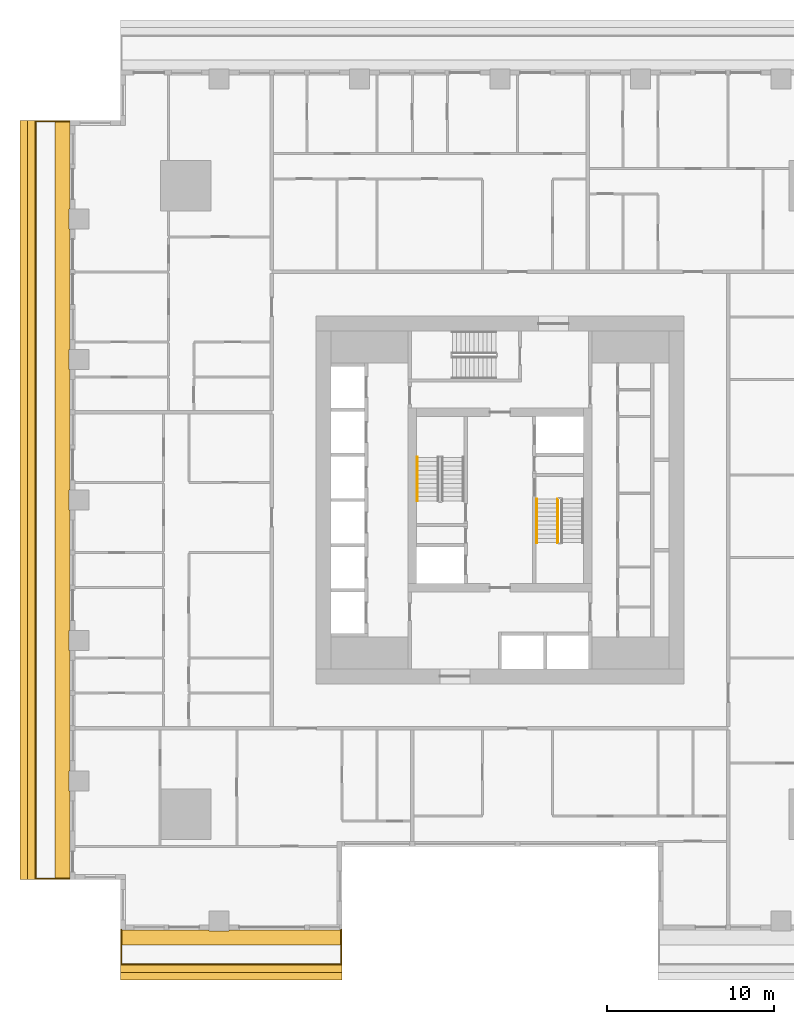
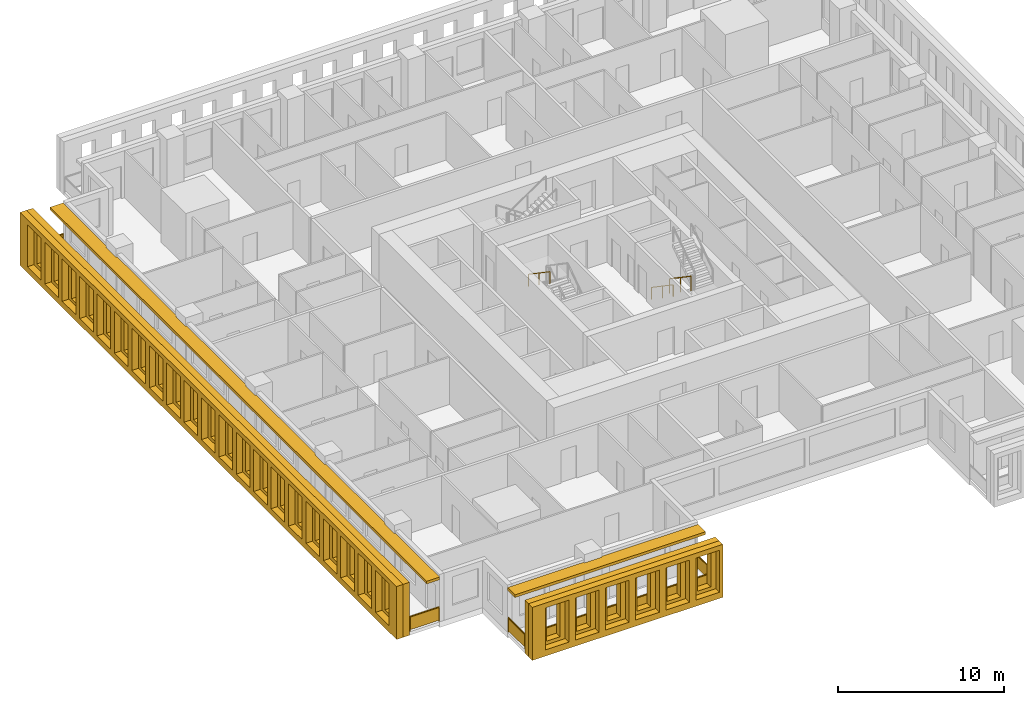
# One storey, part 11 of 15: 6 shading devices, 5 railings.
"""IFC4 building model written with IfcOpenShell, lengths in metres."""

from ifc_helpers import new_model, si_unit, direction, frame, origin, origin_2d, place, context, subcontext, project, spatial, polyline, rectangle, outline, extrude, material, layer, layer_set, type_object, element, save


model = new_model("IFC4")

# Units and contexts
model_context = context("Model", 3, precision=1e-05, world=origin(), true_north=direction((0.0, 1.0)))
body_context = subcontext(model_context, "Body", "Model", "MODEL_VIEW")
ifc_project = project(units=[si_unit("LENGTHUNIT", "METRE"), si_unit("AREAUNIT", "SQUARE_METRE"), si_unit("VOLUMEUNIT", "CUBIC_METRE"), si_unit("PLANEANGLEUNIT", "RADIAN"), si_unit("MASSUNIT", "GRAM", prefix="KILO")], contexts=[model_context])

# Site, building, storey
site_placement = place(None, origin())
site = spatial("IfcSite", under=ifc_project, at=site_placement, CompositionType="ELEMENT")
building_placement = place(site_placement, origin())
building = spatial("IfcBuilding", under=site, at=building_placement, Name="Khepri Terraces", CompositionType="ELEMENT")
storey_placement = place(building_placement, frame((0.0, 0.0, 54.300048828125)))
storey = spatial("IfcBuildingStorey", under=building, at=storey_placement, Name="L12", CompositionType="ELEMENT", Elevation=54.300048828125)

# Railings
ifc_material_1 = material(Name="Stainless steel grade 316", Category="steel")
railing_type_1 = type_object("IfcRailingType", Name="GRD-BAL-1100", PredefinedType="GUARDRAIL", material=ifc_material_1)
railing_1_placement = place(storey_placement, frame((-22.669921875, -25.719970703125, 0.0)))
element("IfcRailing", 1, at=railing_1_placement, inside=storey, type_object=railing_type_1, Name="Balcony guard L12 S", PredefinedType="GUARDRAIL", context=body_context, shape_type="SweptSolid", body=[
    extrude(rectangle(XDim=0.050048828125, YDim=0.06005859375, at=origin_2d()), frame((0.0, 0.0, 1.070068359375), z_axis=(0.0, -1.0, 0.0), x_axis=(1.0, 0.0, 0.0)), (0.0, 0.0, 1.0), 2.050048828125),
    extrude(rectangle(XDim=2.0, YDim=0.011962890625, at=origin_2d()), frame((0.0, -1.02490234375, 0.10009765625), z_axis=(0.0, 0.0, 1.0), x_axis=(0.0, -1.0, 0.0)), (0.0, 0.0, 1.0), 0.93994140625),
    extrude(rectangle(XDim=0.050048828125, YDim=0.06005859375, at=origin_2d()), frame((0.0, -2.050048828125, 1.070068359375), z_axis=(1.0, 0.0, 0.0), x_axis=(0.0, 1.0, 0.0)), (0.0, 0.0, 1.0), 13.169921875),
    extrude(rectangle(XDim=2.14501953125, YDim=0.011962890625, at=origin_2d()), frame((1.097412109375, -2.050048828125, 0.10009765625), z_axis=(0.0, 0.0, 1.0), x_axis=(1.0, 0.0, 0.0)), (0.0, 0.0, 1.0), 0.93994140625),
    extrude(rectangle(XDim=2.14501953125, YDim=0.011962890625, at=origin_2d()), frame((3.29248046875, -2.050048828125, 0.10009765625), z_axis=(0.0, 0.0, 1.0), x_axis=(1.0, 0.0, 0.0)), (0.0, 0.0, 1.0), 0.93994140625),
    extrude(rectangle(XDim=2.14501953125, YDim=0.011962890625, at=origin_2d()), frame((5.487548828125, -2.050048828125, 0.10009765625), z_axis=(0.0, 0.0, 1.0), x_axis=(1.0, 0.0, 0.0)), (0.0, 0.0, 1.0), 0.93994140625),
    extrude(rectangle(XDim=2.14501953125, YDim=0.011962890625, at=origin_2d()), frame((7.682373046875, -2.050048828125, 0.10009765625), z_axis=(0.0, 0.0, 1.0), x_axis=(1.0, 0.0, 0.0)), (0.0, 0.0, 1.0), 0.93994140625),
    extrude(rectangle(XDim=2.14501953125, YDim=0.011962890625, at=origin_2d()), frame((9.87744140625, -2.050048828125, 0.10009765625), z_axis=(0.0, 0.0, 1.0), x_axis=(1.0, 0.0, 0.0)), (0.0, 0.0, 1.0), 0.93994140625),
    extrude(rectangle(XDim=2.14501953125, YDim=0.011962890625, at=origin_2d()), frame((12.072509765625, -2.050048828125, 0.10009765625), z_axis=(0.0, 0.0, 1.0), x_axis=(1.0, 0.0, 0.0)), (0.0, 0.0, 1.0), 0.93994140625),
    extrude(rectangle(XDim=0.050048828125, YDim=0.06005859375, at=origin_2d()), frame((13.169921875, -2.050048828125, 1.070068359375), z_axis=(0.0, 1.0, 0.0), x_axis=(-1.0, 0.0, 0.0)), (0.0, 0.0, 1.0), 2.050048828125),
    extrude(rectangle(XDim=2.0, YDim=0.011962890625, at=origin_2d()), frame((13.169921875, -1.02490234375, 0.10009765625), z_axis=(0.0, 0.0, 1.0), x_axis=(0.0, 1.0, 0.0)), (0.0, 0.0, 1.0), 0.93994140625),
    extrude(rectangle(XDim=0.050048828125, YDim=0.050048828125, at=origin_2d()), origin(), (0.0, 0.0, 1.0), 1.0400390625),
    extrude(rectangle(XDim=0.050048828125, YDim=0.050048828125, at=origin_2d()), frame((0.0, -2.050048828125, 0.0)), (0.0, 0.0, 1.0), 1.0400390625),
    extrude(rectangle(XDim=0.050048828125, YDim=0.050048828125, at=origin_2d()), frame((2.195068359375, -2.050048828125, 0.0)), (0.0, 0.0, 1.0), 1.0400390625),
    extrude(rectangle(XDim=0.050048828125, YDim=0.050048828125, at=origin_2d()), frame((4.389892578125, -2.050048828125, 0.0)), (0.0, 0.0, 1.0), 1.0400390625),
    extrude(rectangle(XDim=0.050048828125, YDim=0.050048828125, at=origin_2d()), frame((6.5849609375, -2.050048828125, 0.0)), (0.0, 0.0, 1.0), 1.0400390625),
    extrude(rectangle(XDim=0.050048828125, YDim=0.050048828125, at=origin_2d()), frame((8.780029296875, -2.050048828125, 0.0)), (0.0, 0.0, 1.0), 1.0400390625),
    extrude(rectangle(XDim=0.050048828125, YDim=0.050048828125, at=origin_2d()), frame((10.974853515625, -2.050048828125, 0.0)), (0.0, 0.0, 1.0), 1.0400390625),
    extrude(rectangle(XDim=0.050048828125, YDim=0.050048828125, at=origin_2d()), frame((13.169921875, -2.050048828125, 0.0)), (0.0, 0.0, 1.0), 1.0400390625),
    extrude(rectangle(XDim=0.050048828125, YDim=0.050048828125, at=origin_2d()), frame((13.169921875, 0.0, 0.0)), (0.0, 0.0, 1.0), 1.0400390625),
])
railing_2_placement = place(storey_placement, frame((-25.719970703125, 22.669921875, 0.0)))
element("IfcRailing", 2, at=railing_2_placement, inside=storey, type_object=railing_type_1, Name="Balcony guard L12 W", PredefinedType="GUARDRAIL", context=body_context, shape_type="SweptSolid", body=[
    extrude(rectangle(XDim=0.050048828125, YDim=0.06005859375, at=origin_2d()), frame((0.0, 0.0, 1.070068359375), z_axis=(-1.0, 0.0, 0.0), x_axis=(0.0, -1.0, 0.0)), (0.0, 0.0, 1.0), 2.050048828125),
    extrude(rectangle(XDim=2.0, YDim=0.011962890625, at=origin_2d()), frame((-1.02490234375, 0.0, 0.10009765625), z_axis=(0.0, 0.0, 1.0), x_axis=(-1.0, 0.0, 0.0)), (0.0, 0.0, 1.0), 0.93994140625),
    extrude(rectangle(XDim=0.050048828125, YDim=0.06005859375, at=origin_2d()), frame((-2.050048828125, 0.0, 1.070068359375), z_axis=(0.0, -1.0, 0.0), x_axis=(1.0, 0.0, 0.0)), (0.0, 0.0, 1.0), 45.33984375),
    extrude(rectangle(XDim=2.336181640625, YDim=0.011962890625, at=origin_2d()), frame((-2.050048828125, -1.193115234375, 0.10009765625), z_axis=(0.0, 0.0, 1.0), x_axis=(0.0, -1.0, 0.0)), (0.0, 0.0, 1.0), 0.93994140625),
    extrude(rectangle(XDim=2.336181640625, YDim=0.011962890625, at=origin_2d()), frame((-2.050048828125, -3.579345703125, 0.10009765625), z_axis=(0.0, 0.0, 1.0), x_axis=(0.0, -1.0, 0.0)), (0.0, 0.0, 1.0), 0.93994140625),
    extrude(rectangle(XDim=2.336181640625, YDim=0.011962890625, at=origin_2d()), frame((-2.050048828125, -5.9658203125, 0.10009765625), z_axis=(0.0, 0.0, 1.0), x_axis=(0.0, -1.0, 0.0)), (0.0, 0.0, 1.0), 0.93994140625),
    extrude(rectangle(XDim=2.336181640625, YDim=0.011962890625, at=origin_2d()), frame((-2.050048828125, -8.35205078125, 0.10009765625), z_axis=(0.0, 0.0, 1.0), x_axis=(0.0, -1.0, 0.0)), (0.0, 0.0, 1.0), 0.93994140625),
    extrude(rectangle(XDim=2.336181640625, YDim=0.011962890625, at=origin_2d()), frame((-2.050048828125, -10.73828125, 0.10009765625), z_axis=(0.0, 0.0, 1.0), x_axis=(0.0, -1.0, 0.0)), (0.0, 0.0, 1.0), 0.93994140625),
    extrude(rectangle(XDim=2.336181640625, YDim=0.011962890625, at=origin_2d()), frame((-2.050048828125, -13.124755859375, 0.10009765625), z_axis=(0.0, 0.0, 1.0), x_axis=(0.0, -1.0, 0.0)), (0.0, 0.0, 1.0), 0.93994140625),
    extrude(rectangle(XDim=2.336181640625, YDim=0.011962890625, at=origin_2d()), frame((-2.050048828125, -15.510986328125, 0.10009765625), z_axis=(0.0, 0.0, 1.0), x_axis=(0.0, -1.0, 0.0)), (0.0, 0.0, 1.0), 0.93994140625),
    extrude(rectangle(XDim=2.336181640625, YDim=0.011962890625, at=origin_2d()), frame((-2.050048828125, -17.897216796875, 0.10009765625), z_axis=(0.0, 0.0, 1.0), x_axis=(0.0, -1.0, 0.0)), (0.0, 0.0, 1.0), 0.93994140625),
    extrude(rectangle(XDim=2.336181640625, YDim=0.011962890625, at=origin_2d()), frame((-2.050048828125, -20.28369140625, 0.10009765625), z_axis=(0.0, 0.0, 1.0), x_axis=(0.0, -1.0, 0.0)), (0.0, 0.0, 1.0), 0.93994140625),
    extrude(rectangle(XDim=2.336181640625, YDim=0.011962890625, at=origin_2d()), frame((-2.050048828125, -22.669921875, 0.10009765625), z_axis=(0.0, 0.0, 1.0), x_axis=(0.0, -1.0, 0.0)), (0.0, 0.0, 1.0), 0.93994140625),
    extrude(rectangle(XDim=2.336181640625, YDim=0.011962890625, at=origin_2d()), frame((-2.050048828125, -25.05615234375, 0.10009765625), z_axis=(0.0, 0.0, 1.0), x_axis=(0.0, -1.0, 0.0)), (0.0, 0.0, 1.0), 0.93994140625),
    extrude(rectangle(XDim=2.336181640625, YDim=0.011962890625, at=origin_2d()), frame((-2.050048828125, -27.442626953125, 0.10009765625), z_axis=(0.0, 0.0, 1.0), x_axis=(0.0, -1.0, 0.0)), (0.0, 0.0, 1.0), 0.93994140625),
    extrude(rectangle(XDim=2.336181640625, YDim=0.011962890625, at=origin_2d()), frame((-2.050048828125, -29.828857421875, 0.10009765625), z_axis=(0.0, 0.0, 1.0), x_axis=(0.0, -1.0, 0.0)), (0.0, 0.0, 1.0), 0.93994140625),
    extrude(rectangle(XDim=2.336181640625, YDim=0.011962890625, at=origin_2d()), frame((-2.050048828125, -32.215087890625, 0.10009765625), z_axis=(0.0, 0.0, 1.0), x_axis=(0.0, -1.0, 0.0)), (0.0, 0.0, 1.0), 0.93994140625),
    extrude(rectangle(XDim=2.336181640625, YDim=0.011962890625, at=origin_2d()), frame((-2.050048828125, -34.6015625, 0.10009765625), z_axis=(0.0, 0.0, 1.0), x_axis=(0.0, -1.0, 0.0)), (0.0, 0.0, 1.0), 0.93994140625),
    extrude(rectangle(XDim=2.336181640625, YDim=0.011962890625, at=origin_2d()), frame((-2.050048828125, -36.98779296875, 0.10009765625), z_axis=(0.0, 0.0, 1.0), x_axis=(0.0, -1.0, 0.0)), (0.0, 0.0, 1.0), 0.93994140625),
    extrude(rectangle(XDim=2.336181640625, YDim=0.011962890625, at=origin_2d()), frame((-2.050048828125, -39.3740234375, 0.10009765625), z_axis=(0.0, 0.0, 1.0), x_axis=(0.0, -1.0, 0.0)), (0.0, 0.0, 1.0), 0.93994140625),
    extrude(rectangle(XDim=2.336181640625, YDim=0.011962890625, at=origin_2d()), frame((-2.050048828125, -41.760498046875, 0.10009765625), z_axis=(0.0, 0.0, 1.0), x_axis=(0.0, -1.0, 0.0)), (0.0, 0.0, 1.0), 0.93994140625),
    extrude(rectangle(XDim=2.336181640625, YDim=0.011962890625, at=origin_2d()), frame((-2.050048828125, -44.146728515625, 0.10009765625), z_axis=(0.0, 0.0, 1.0), x_axis=(0.0, -1.0, 0.0)), (0.0, 0.0, 1.0), 0.93994140625),
    extrude(rectangle(XDim=0.050048828125, YDim=0.06005859375, at=origin_2d()), frame((-2.050048828125, -45.33984375, 1.070068359375), z_axis=(1.0, 0.0, 0.0), x_axis=(0.0, 1.0, 0.0)), (0.0, 0.0, 1.0), 2.050048828125),
    extrude(rectangle(XDim=2.0, YDim=0.011962890625, at=origin_2d()), frame((-1.02490234375, -45.33984375, 0.10009765625), z_axis=(0.0, 0.0, 1.0), x_axis=(1.0, 0.0, 0.0)), (0.0, 0.0, 1.0), 0.93994140625),
    extrude(rectangle(XDim=0.050048828125, YDim=0.050048828125, at=origin_2d()), origin(), (0.0, 0.0, 1.0), 1.0400390625),
    extrude(rectangle(XDim=0.050048828125, YDim=0.050048828125, at=origin_2d()), frame((-2.050048828125, 0.0, 0.0)), (0.0, 0.0, 1.0), 1.0400390625),
    extrude(rectangle(XDim=0.050048828125, YDim=0.050048828125, at=origin_2d()), frame((-2.050048828125, -2.38623046875, 0.0)), (0.0, 0.0, 1.0), 1.0400390625),
    extrude(rectangle(XDim=0.050048828125, YDim=0.050048828125, at=origin_2d()), frame((-2.050048828125, -4.772705078125, 0.0)), (0.0, 0.0, 1.0), 1.0400390625),
    extrude(rectangle(XDim=0.050048828125, YDim=0.050048828125, at=origin_2d()), frame((-2.050048828125, -7.158935546875, 0.0)), (0.0, 0.0, 1.0), 1.0400390625),
    extrude(rectangle(XDim=0.050048828125, YDim=0.050048828125, at=origin_2d()), frame((-2.050048828125, -9.545166015625, 0.0)), (0.0, 0.0, 1.0), 1.0400390625),
    extrude(rectangle(XDim=0.050048828125, YDim=0.050048828125, at=origin_2d()), frame((-2.050048828125, -11.931640625, 0.0)), (0.0, 0.0, 1.0), 1.0400390625),
    extrude(rectangle(XDim=0.050048828125, YDim=0.050048828125, at=origin_2d()), frame((-2.050048828125, -14.31787109375, 0.0)), (0.0, 0.0, 1.0), 1.0400390625),
    extrude(rectangle(XDim=0.050048828125, YDim=0.050048828125, at=origin_2d()), frame((-2.050048828125, -16.7041015625, 0.0)), (0.0, 0.0, 1.0), 1.0400390625),
    extrude(rectangle(XDim=0.050048828125, YDim=0.050048828125, at=origin_2d()), frame((-2.050048828125, -19.090576171875, 0.0)), (0.0, 0.0, 1.0), 1.0400390625),
    extrude(rectangle(XDim=0.050048828125, YDim=0.050048828125, at=origin_2d()), frame((-2.050048828125, -21.476806640625, 0.0)), (0.0, 0.0, 1.0), 1.0400390625),
    extrude(rectangle(XDim=0.050048828125, YDim=0.050048828125, at=origin_2d()), frame((-2.050048828125, -23.863037109375, 0.0)), (0.0, 0.0, 1.0), 1.0400390625),
    extrude(rectangle(XDim=0.050048828125, YDim=0.050048828125, at=origin_2d()), frame((-2.050048828125, -26.249267578125, 0.0)), (0.0, 0.0, 1.0), 1.0400390625),
    extrude(rectangle(XDim=0.050048828125, YDim=0.050048828125, at=origin_2d()), frame((-2.050048828125, -28.6357421875, 0.0)), (0.0, 0.0, 1.0), 1.0400390625),
    extrude(rectangle(XDim=0.050048828125, YDim=0.050048828125, at=origin_2d()), frame((-2.050048828125, -31.02197265625, 0.0)), (0.0, 0.0, 1.0), 1.0400390625),
    extrude(rectangle(XDim=0.050048828125, YDim=0.050048828125, at=origin_2d()), frame((-2.050048828125, -33.408203125, 0.0)), (0.0, 0.0, 1.0), 1.0400390625),
    extrude(rectangle(XDim=0.050048828125, YDim=0.050048828125, at=origin_2d()), frame((-2.050048828125, -35.794677734375, 0.0)), (0.0, 0.0, 1.0), 1.0400390625),
    extrude(rectangle(XDim=0.050048828125, YDim=0.050048828125, at=origin_2d()), frame((-2.050048828125, -38.180908203125, 0.0)), (0.0, 0.0, 1.0), 1.0400390625),
    extrude(rectangle(XDim=0.050048828125, YDim=0.050048828125, at=origin_2d()), frame((-2.050048828125, -40.567138671875, 0.0)), (0.0, 0.0, 1.0), 1.0400390625),
    extrude(rectangle(XDim=0.050048828125, YDim=0.050048828125, at=origin_2d()), frame((-2.050048828125, -42.95361328125, 0.0)), (0.0, 0.0, 1.0), 1.0400390625),
    extrude(rectangle(XDim=0.050048828125, YDim=0.050048828125, at=origin_2d()), frame((-2.050048828125, -45.33984375, 0.0)), (0.0, 0.0, 1.0), 1.0400390625),
    extrude(rectangle(XDim=0.050048828125, YDim=0.050048828125, at=origin_2d()), frame((0.0, -45.33984375, 0.0)), (0.0, 0.0, 1.0), 1.0400390625),
])
ifc_material_2 = material(Name="Stainless steel 316", Category="steel")
railing_type_2 = type_object("IfcRailingType", Name="RL-CORE-GUARD", PredefinedType="GUARDRAIL", material=ifc_material_2)
railing_3_placement = place(storey_placement, frame((3.449951171875, 0.050048828125, 0.17724609375)))
element("IfcRailing", 3, at=railing_3_placement, inside=storey, type_object=railing_type_2, Name="L12 ST-2 stair guard 1", PredefinedType="GUARDRAIL", context=body_context, shape_type="SweptSolid", body=[
    extrude(rectangle(XDim=0.050048828125, YDim=0.06005859375, at=origin_2d()), frame((0.0, 0.0, 1.070068359375), z_axis=(0.0, -0.826240473404, 0.563317565952), x_axis=(1.0, 0.0, 0.0)), (0.0, 0.0, 1.0), 3.14697265625),
    extrude(rectangle(XDim=0.050048828125, YDim=0.050048828125, at=origin_2d()), origin(), (0.0, 0.0, 1.0), 1.0400390625),
    extrude(rectangle(XDim=0.050048828125, YDim=0.050048828125, at=origin_2d()), frame((0.0, -1.300048828125, 0.88623046875)), (0.0, 0.0, 1.0), 1.0400390625),
    extrude(rectangle(XDim=0.050048828125, YDim=0.050048828125, at=origin_2d()), frame((0.0, -2.60009765625, 1.772705078125)), (0.0, 0.0, 1.0), 1.0400390625),
])
railing_type_3 = type_object("IfcRailingType", Name="RL-CORE-HANDRAIL", PredefinedType="HANDRAIL", material=ifc_material_2)
for number, where, name in (
    (4, (-4.949951171875, 2.550048828125, 2.127197265625), "L12 ST-1 stair handrail 2"),
    (5, (2.199951171875, 0.050048828125, 0.17724609375), "L12 ST-2 stair handrail 1"),
):
    element("IfcRailing", number, at=place(storey_placement, frame(where)), inside=storey, type_object=railing_type_3, Name=name, PredefinedType="HANDRAIL", context=body_context, shape_type="SweptSolid", body=[
        extrude(rectangle(XDim=0.050048828125, YDim=0.050048828125, at=origin_2d()), frame((0.0, 0.0, 0.875), z_axis=(0.0, -0.826240473404, 0.563317565952), x_axis=(1.0, 0.0, 0.0)), (0.0, 0.0, 1.0), 3.14697265625),
        extrude(rectangle(XDim=0.050048828125, YDim=0.050048828125, at=origin_2d()), origin(), (0.0, 0.0, 1.0), 0.849853515625),
        extrude(rectangle(XDim=0.050048828125, YDim=0.050048828125, at=origin_2d()), frame((0.0, -1.300048828125, 0.88623046875)), (0.0, 0.0, 1.0), 0.849853515625),
        extrude(rectangle(XDim=0.050048828125, YDim=0.050048828125, at=origin_2d()), frame((0.0, -2.60009765625, 1.772705078125)), (0.0, 0.0, 1.0), 0.849853515625),
    ])

# Shading devices
ifc_material_3 = material(Name="Precast concrete C50/60 warm stone", Category="masonry")
shading_device_type_1 = type_object("IfcShadingDeviceType", Name="SCR-CELL-INNER-450", PredefinedType="USERDEFINED", material=ifc_material_3)
shading_device_1_placement = place(storey_placement, frame((-22.719970703125, -27.820068359375, -0.25), z_axis=(0.0, -1.0, 0.0), x_axis=(1.0, 0.0, 0.0)))
element("IfcShadingDevice", 6, at=shading_device_1_placement, inside=storey, type_object=shading_device_type_1, Name="Cell screen L12 S in", ObjectType="SCREEN", PredefinedType="USERDEFINED", context=body_context, shape_type="SweptSolid", body=[
    extrude(outline(polyline([(0.0, 0.0), (13.27001953125, 0.0), (13.27001953125, 3.89990234375), (0.0, 3.89990234375), (0.0, 0.0)]), holes=[polyline([(1.24755859375, 0.699951171875), (2.1923828125, 0.699951171875), (2.1923828125, 3.300048828125), (1.24755859375, 3.300048828125), (1.24755859375, 0.699951171875)]), polyline([(3.347412109375, 0.699951171875), (4.29248046875, 0.699951171875), (4.29248046875, 3.300048828125), (3.347412109375, 3.300048828125), (3.347412109375, 0.699951171875)]), polyline([(5.447509765625, 0.699951171875), (6.392578125, 0.699951171875), (6.392578125, 3.300048828125), (5.447509765625, 3.300048828125), (5.447509765625, 0.699951171875)]), polyline([(7.547607421875, 0.699951171875), (8.492431640625, 0.699951171875), (8.492431640625, 3.300048828125), (7.547607421875, 3.300048828125), (7.547607421875, 0.699951171875)]), polyline([(9.6474609375, 0.699951171875), (10.592529296875, 0.699951171875), (10.592529296875, 3.300048828125), (9.6474609375, 3.300048828125), (9.6474609375, 0.699951171875)]), polyline([(11.74755859375, 0.699951171875), (12.6923828125, 0.699951171875), (12.6923828125, 3.300048828125), (11.74755859375, 3.300048828125), (11.74755859375, 0.699951171875)])]), origin(), (0.0, 0.0, 1.0), 0.449951171875),
])
shading_device_2_placement = place(storey_placement, frame((-27.820068359375, 22.719970703125, -0.25), z_axis=(-1.0, 0.0, 0.0), x_axis=(0.0, -1.0, 0.0)))
element("IfcShadingDevice", 7, at=shading_device_2_placement, inside=storey, type_object=shading_device_type_1, Name="Cell screen L12 W in", ObjectType="SCREEN", PredefinedType="USERDEFINED", context=body_context, shape_type="SweptSolid", body=[
    extrude(outline(polyline([(0.0, 0.0), (45.43994140625, 0.0), (45.43994140625, 3.89990234375), (0.0, 3.89990234375), (0.0, 0.0)]), holes=[polyline([(1.24755859375, 0.699951171875), (2.1923828125, 0.699951171875), (2.1923828125, 3.300048828125), (1.24755859375, 3.300048828125), (1.24755859375, 0.699951171875)]), polyline([(3.347412109375, 0.699951171875), (4.29248046875, 0.699951171875), (4.29248046875, 3.300048828125), (3.347412109375, 3.300048828125), (3.347412109375, 0.699951171875)]), polyline([(5.447509765625, 0.699951171875), (6.392578125, 0.699951171875), (6.392578125, 3.300048828125), (5.447509765625, 3.300048828125), (5.447509765625, 0.699951171875)]), polyline([(7.547607421875, 0.699951171875), (8.492431640625, 0.699951171875), (8.492431640625, 3.300048828125), (7.547607421875, 3.300048828125), (7.547607421875, 0.699951171875)]), polyline([(9.6474609375, 0.699951171875), (10.592529296875, 0.699951171875), (10.592529296875, 3.300048828125), (9.6474609375, 3.300048828125), (9.6474609375, 0.699951171875)]), polyline([(11.74755859375, 0.699951171875), (12.6923828125, 0.699951171875), (12.6923828125, 3.300048828125), (11.74755859375, 3.300048828125), (11.74755859375, 0.699951171875)]), polyline([(13.847412109375, 0.699951171875), (14.79248046875, 0.699951171875), (14.79248046875, 3.300048828125), (13.847412109375, 3.300048828125), (13.847412109375, 0.699951171875)]), polyline([(15.947509765625, 0.699951171875), (16.892578125, 0.699951171875), (16.892578125, 3.300048828125), (15.947509765625, 3.300048828125), (15.947509765625, 0.699951171875)]), polyline([(18.047607421875, 0.699951171875), (18.992431640625, 0.699951171875), (18.992431640625, 3.300048828125), (18.047607421875, 3.300048828125), (18.047607421875, 0.699951171875)]), polyline([(20.1474609375, 0.699951171875), (21.092529296875, 0.699951171875), (21.092529296875, 3.300048828125), (20.1474609375, 3.300048828125), (20.1474609375, 0.699951171875)]), polyline([(22.24755859375, 0.699951171875), (23.1923828125, 0.699951171875), (23.1923828125, 3.300048828125), (22.24755859375, 3.300048828125), (22.24755859375, 0.699951171875)]), polyline([(24.347412109375, 0.699951171875), (25.29248046875, 0.699951171875), (25.29248046875, 3.300048828125), (24.347412109375, 3.300048828125), (24.347412109375, 0.699951171875)]), polyline([(26.447509765625, 0.699951171875), (27.392578125, 0.699951171875), (27.392578125, 3.300048828125), (26.447509765625, 3.300048828125), (26.447509765625, 0.699951171875)]), polyline([(28.547607421875, 0.699951171875), (29.492431640625, 0.699951171875), (29.492431640625, 3.300048828125), (28.547607421875, 3.300048828125), (28.547607421875, 0.699951171875)]), polyline([(30.6474609375, 0.699951171875), (31.592529296875, 0.699951171875), (31.592529296875, 3.300048828125), (30.6474609375, 3.300048828125), (30.6474609375, 0.699951171875)]), polyline([(32.74755859375, 0.699951171875), (33.6923828125, 0.699951171875), (33.6923828125, 3.300048828125), (32.74755859375, 3.300048828125), (32.74755859375, 0.699951171875)]), polyline([(34.847412109375, 0.699951171875), (35.79248046875, 0.699951171875), (35.79248046875, 3.300048828125), (34.847412109375, 3.300048828125), (34.847412109375, 0.699951171875)]), polyline([(36.947509765625, 0.699951171875), (37.892578125, 0.699951171875), (37.892578125, 3.300048828125), (36.947509765625, 3.300048828125), (36.947509765625, 0.699951171875)]), polyline([(39.047607421875, 0.699951171875), (39.992431640625, 0.699951171875), (39.992431640625, 3.300048828125), (39.047607421875, 3.300048828125), (39.047607421875, 0.699951171875)]), polyline([(41.1474609375, 0.699951171875), (42.092529296875, 0.699951171875), (42.092529296875, 3.300048828125), (41.1474609375, 3.300048828125), (41.1474609375, 0.699951171875)]), polyline([(43.24755859375, 0.699951171875), (44.1923828125, 0.699951171875), (44.1923828125, 3.300048828125), (43.24755859375, 3.300048828125), (43.24755859375, 0.699951171875)])]), origin(), (0.0, 0.0, 1.0), 0.449951171875),
])
shading_device_type_2 = type_object("IfcShadingDeviceType", Name="SCR-CELL-OUTER-450", PredefinedType="USERDEFINED", material=ifc_material_3)
shading_device_3_placement = place(storey_placement, frame((-22.719970703125, -28.27001953125, -0.25), z_axis=(0.0, -1.0, 0.0), x_axis=(1.0, 0.0, 0.0)))
element("IfcShadingDevice", 8, at=shading_device_3_placement, inside=storey, type_object=shading_device_type_2, Name="Cell screen L12 S out", ObjectType="SCREEN", PredefinedType="USERDEFINED", context=body_context, shape_type="SweptSolid", body=[
    extrude(outline(polyline([(0.0, 0.0), (13.27001953125, 0.0), (13.27001953125, 3.89990234375), (0.0, 3.89990234375), (0.0, 0.0)]), holes=[polyline([(0.8974609375, 0.449951171875), (2.54248046875, 0.449951171875), (2.54248046875, 3.550048828125), (0.8974609375, 3.550048828125), (0.8974609375, 0.449951171875)]), polyline([(2.99755859375, 0.449951171875), (4.642578125, 0.449951171875), (4.642578125, 3.550048828125), (2.99755859375, 3.550048828125), (2.99755859375, 0.449951171875)]), polyline([(5.097412109375, 0.449951171875), (6.742431640625, 0.449951171875), (6.742431640625, 3.550048828125), (5.097412109375, 3.550048828125), (5.097412109375, 0.449951171875)]), polyline([(7.197509765625, 0.449951171875), (8.842529296875, 0.449951171875), (8.842529296875, 3.550048828125), (7.197509765625, 3.550048828125), (7.197509765625, 0.449951171875)]), polyline([(9.297607421875, 0.449951171875), (10.9423828125, 0.449951171875), (10.9423828125, 3.550048828125), (9.297607421875, 3.550048828125), (9.297607421875, 0.449951171875)]), polyline([(11.3974609375, 0.449951171875), (13.04248046875, 0.449951171875), (13.04248046875, 3.550048828125), (11.3974609375, 3.550048828125), (11.3974609375, 0.449951171875)])]), origin(), (0.0, 0.0, 1.0), 0.449951171875),
])
shading_device_4_placement = place(storey_placement, frame((-28.27001953125, 22.719970703125, -0.25), z_axis=(-1.0, 0.0, 0.0), x_axis=(0.0, -1.0, 0.0)))
element("IfcShadingDevice", 9, at=shading_device_4_placement, inside=storey, type_object=shading_device_type_2, Name="Cell screen L12 W out", ObjectType="SCREEN", PredefinedType="USERDEFINED", context=body_context, shape_type="SweptSolid", body=[
    extrude(outline(polyline([(0.0, 0.0), (45.43994140625, 0.0), (45.43994140625, 3.89990234375), (0.0, 3.89990234375), (0.0, 0.0)]), holes=[polyline([(0.8974609375, 0.449951171875), (2.54248046875, 0.449951171875), (2.54248046875, 3.550048828125), (0.8974609375, 3.550048828125), (0.8974609375, 0.449951171875)]), polyline([(2.99755859375, 0.449951171875), (4.642578125, 0.449951171875), (4.642578125, 3.550048828125), (2.99755859375, 3.550048828125), (2.99755859375, 0.449951171875)]), polyline([(5.097412109375, 0.449951171875), (6.742431640625, 0.449951171875), (6.742431640625, 3.550048828125), (5.097412109375, 3.550048828125), (5.097412109375, 0.449951171875)]), polyline([(7.197509765625, 0.449951171875), (8.842529296875, 0.449951171875), (8.842529296875, 3.550048828125), (7.197509765625, 3.550048828125), (7.197509765625, 0.449951171875)]), polyline([(9.297607421875, 0.449951171875), (10.9423828125, 0.449951171875), (10.9423828125, 3.550048828125), (9.297607421875, 3.550048828125), (9.297607421875, 0.449951171875)]), polyline([(11.3974609375, 0.449951171875), (13.04248046875, 0.449951171875), (13.04248046875, 3.550048828125), (11.3974609375, 3.550048828125), (11.3974609375, 0.449951171875)]), polyline([(13.49755859375, 0.449951171875), (15.142578125, 0.449951171875), (15.142578125, 3.550048828125), (13.49755859375, 3.550048828125), (13.49755859375, 0.449951171875)]), polyline([(15.597412109375, 0.449951171875), (17.242431640625, 0.449951171875), (17.242431640625, 3.550048828125), (15.597412109375, 3.550048828125), (15.597412109375, 0.449951171875)]), polyline([(17.697509765625, 0.449951171875), (19.342529296875, 0.449951171875), (19.342529296875, 3.550048828125), (17.697509765625, 3.550048828125), (17.697509765625, 0.449951171875)]), polyline([(19.797607421875, 0.449951171875), (21.4423828125, 0.449951171875), (21.4423828125, 3.550048828125), (19.797607421875, 3.550048828125), (19.797607421875, 0.449951171875)]), polyline([(21.8974609375, 0.449951171875), (23.54248046875, 0.449951171875), (23.54248046875, 3.550048828125), (21.8974609375, 3.550048828125), (21.8974609375, 0.449951171875)]), polyline([(23.99755859375, 0.449951171875), (25.642578125, 0.449951171875), (25.642578125, 3.550048828125), (23.99755859375, 3.550048828125), (23.99755859375, 0.449951171875)]), polyline([(26.097412109375, 0.449951171875), (27.742431640625, 0.449951171875), (27.742431640625, 3.550048828125), (26.097412109375, 3.550048828125), (26.097412109375, 0.449951171875)]), polyline([(28.197509765625, 0.449951171875), (29.842529296875, 0.449951171875), (29.842529296875, 3.550048828125), (28.197509765625, 3.550048828125), (28.197509765625, 0.449951171875)]), polyline([(30.297607421875, 0.449951171875), (31.9423828125, 0.449951171875), (31.9423828125, 3.550048828125), (30.297607421875, 3.550048828125), (30.297607421875, 0.449951171875)]), polyline([(32.3974609375, 0.449951171875), (34.04248046875, 0.449951171875), (34.04248046875, 3.550048828125), (32.3974609375, 3.550048828125), (32.3974609375, 0.449951171875)]), polyline([(34.49755859375, 0.449951171875), (36.142578125, 0.449951171875), (36.142578125, 3.550048828125), (34.49755859375, 3.550048828125), (34.49755859375, 0.449951171875)]), polyline([(36.597412109375, 0.449951171875), (38.242431640625, 0.449951171875), (38.242431640625, 3.550048828125), (36.597412109375, 3.550048828125), (36.597412109375, 0.449951171875)]), polyline([(38.697509765625, 0.449951171875), (40.342529296875, 0.449951171875), (40.342529296875, 3.550048828125), (38.697509765625, 3.550048828125), (38.697509765625, 0.449951171875)]), polyline([(40.797607421875, 0.449951171875), (42.4423828125, 0.449951171875), (42.4423828125, 3.550048828125), (40.797607421875, 3.550048828125), (40.797607421875, 0.449951171875)]), polyline([(42.8974609375, 0.449951171875), (44.54248046875, 0.449951171875), (44.54248046875, 3.550048828125), (42.8974609375, 3.550048828125), (42.8974609375, 0.449951171875)])]), origin(), (0.0, 0.0, 1.0), 0.449951171875),
])
ifc_layer = layer(ifc_material_3, 0.199951171875, Name="Precast concrete C50/60 warm stone", Category="masonry")
ifc_layer_set = layer_set([ifc_layer], Name="Precast concrete C50/60 warm stone")
shading_device_type_3 = type_object("IfcShadingDeviceType", Name="SSH-BAND-STONE-200", PredefinedType="USERDEFINED", material=ifc_layer_set)
shading_device_5_placement = place(storey_placement, frame((0.0, 0.0, 3.099853515625)))
element("IfcShadingDevice", 10, at=shading_device_5_placement, inside=storey, type_object=shading_device_type_3, Name="Sunshade band L12 S", ObjectType="SUNSHADE", PredefinedType="USERDEFINED", context=body_context, shape_type="SweptSolid", body=[
    extrude(outline(polyline([(-17.39990234375, -25.719970703125), (-22.719970703125, -25.719970703125), (-22.719970703125, -26.6201171875), (-9.449951171875, -26.6201171875), (-9.449951171875, -25.719970703125), (-16.199951171875, -25.719970703125), (-16.199951171875, -25.800048828125), (-17.39990234375, -25.800048828125), (-17.39990234375, -25.719970703125)])), origin(), (0.0, 0.0, 1.0), 0.2001953125),
])
shading_device_6_placement = place(storey_placement, frame((0.0, 0.0, 3.099853515625)))
element("IfcShadingDevice", 11, at=shading_device_6_placement, inside=storey, type_object=shading_device_type_3, Name="Sunshade band L12 W", ObjectType="SUNSHADE", PredefinedType="USERDEFINED", context=body_context, shape_type="SweptSolid", body=[
    extrude(outline(polyline([(-25.719970703125, 17.39990234375), (-25.719970703125, 22.719970703125), (-26.6201171875, 22.719970703125), (-26.6201171875, -22.719970703125), (-25.719970703125, -22.719970703125), (-25.719970703125, -17.39990234375), (-25.800048828125, -17.39990234375), (-25.800048828125, -16.199951171875), (-25.719970703125, -16.199951171875), (-25.719970703125, -9.0), (-25.800048828125, -9.0), (-25.800048828125, -7.800048828125), (-25.719970703125, -7.800048828125), (-25.719970703125, -0.60009765625), (-25.800048828125, -0.60009765625), (-25.800048828125, 0.60009765625), (-25.719970703125, 0.60009765625), (-25.719970703125, 7.800048828125), (-25.800048828125, 7.800048828125), (-25.800048828125, 9.0), (-25.719970703125, 9.0), (-25.719970703125, 16.199951171875), (-25.800048828125, 16.199951171875), (-25.800048828125, 17.39990234375), (-25.719970703125, 17.39990234375)])), origin(), (0.0, 0.0, 1.0), 0.2001953125),
])

save(model, "model.ifc")
